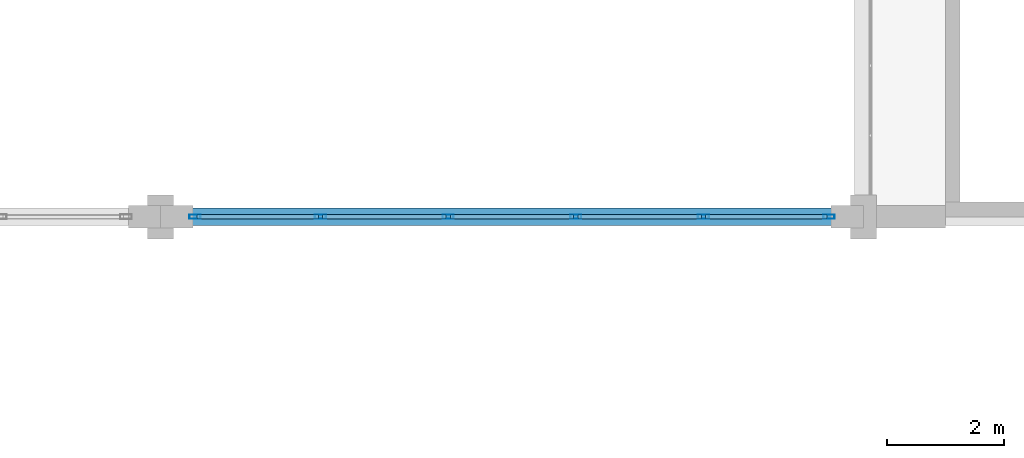
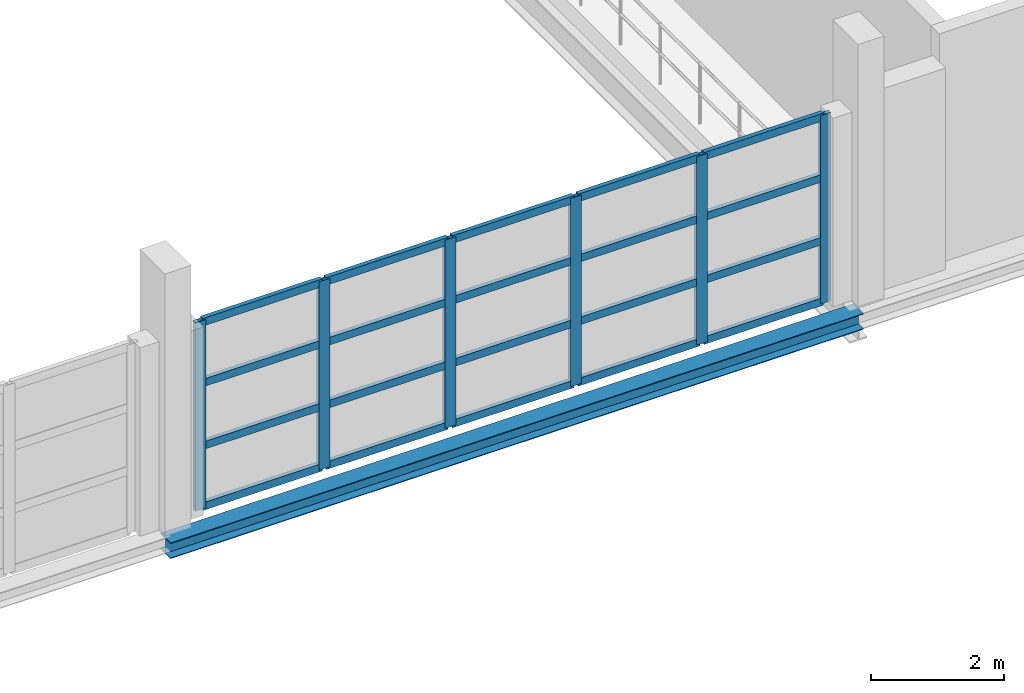
# One storey, part 29 of 86: 26 members, 1 beam, 1 element without a shape of its own.
"""IFC4 building model written with IfcOpenShell, lengths in metres."""

from ifc_helpers import new_model, si_unit, direction, frame, origin, origin_2d, place, context, subcontext, project, spatial, hollow_rectangle, i_section, extrude, material, layer, layer_set, material_profile, profile_set, type_object, element, aggregate, save


model = new_model("IFC4")

# Units and contexts
model_context = context("Model", 3, precision=1e-05, world=origin(), true_north=direction((0.0, 1.0)))
body_context = subcontext(model_context, "Body", "Model", "MODEL_VIEW")
ifc_project = project(units=[si_unit("LENGTHUNIT", "METRE"), si_unit("AREAUNIT", "SQUARE_METRE"), si_unit("VOLUMEUNIT", "CUBIC_METRE"), si_unit("PLANEANGLEUNIT", "RADIAN"), si_unit("MASSUNIT", "GRAM", prefix="KILO")], contexts=[model_context])

# Site, building, storey
site_placement = place(None, origin())
site = spatial("IfcSite", under=ifc_project, at=site_placement, CompositionType="ELEMENT")
building_placement = place(site_placement, origin())
building = spatial("IfcBuilding", under=site, at=building_placement, Name="Zilviju Railside Exhibition Hall", CompositionType="ELEMENT")
storey_placement = place(building_placement, frame((0.0, 0.0, 12.60009765625)))
storey = spatial("IfcBuildingStorey", under=building, at=storey_placement, Name="L04", CompositionType="ELEMENT", Elevation=12.60009765625)

# Beam
ifc_material_1 = material(Name="Steel S355J2", Category="steel")
ifc_material_profile_1 = material_profile(ifc_material_1, i_section(OverallWidth=0.300048828125, OverallDepth=0.2900390625, WebThickness=0.008544921875, FlangeThickness=0.013916015625, at=origin_2d()), Name="HEA 300")
ifc_profile_set_1 = profile_set([ifc_material_profile_1], Name="Steel S355J2")
beam_type = type_object("IfcBeamType", Name="BM-HEA300", PredefinedType="SPANDREL", material=ifc_profile_set_1)
beam_placement = place(storey_placement, frame((144.0, 84.0, -0.485107421875), z_axis=(1.0, 0.0, 0.0), x_axis=(0.0, 1.0, 0.0)))
element("IfcBeam", 1, at=beam_placement, inside=storey, type_object=beam_type, Name="Primary Girder L04 Y=84.0 (144.0..156.0)", PredefinedType="SPANDREL", context=body_context, shape_type="SweptSolid", body=[
    extrude(i_section(OverallWidth=0.300048828125, OverallDepth=0.2900390625, WebThickness=0.008544921875, FlangeThickness=0.013916015625, at=origin_2d()), origin(), (0.0, 0.0, 1.0), 12.0),
])

# Curtain wall, members
ifc_material_2 = material(Name="Thermally broken aluminium-steel triple-glazed curtain wall", Category="steel")
ifc_layer = layer(ifc_material_2, 0.179931640625)
ifc_layer_set = layer_set([ifc_layer], Name="Thermally broken aluminium-steel triple-glazed curtain wall")
curtain_wall_type = type_object("IfcCurtainWallType", Name="CW-BAY-15", PredefinedType="USERDEFINED", material=ifc_layer_set)
curtain_wall_placement = place(storey_placement, origin())
curtain_wall = element("IfcCurtainWall", 2, at=curtain_wall_placement, inside=storey, type_object=curtain_wall_type, Name="North Hall Garden Court Curtain Wall L04 (144..156)", ObjectType="GLAZED CURTAIN WALL", PredefinedType="USERDEFINED")
ifc_material_3 = material(Name="Thermally broken anodized aluminium mullion", Category="aluminium")
ifc_material_profile_2 = material_profile(ifc_material_3, hollow_rectangle(XDim=0.074951171875, YDim=0.18994140625, WallThickness=0.0048828125, at=origin_2d()), Name="MULLION 190x75x5")
ifc_profile_set_2 = profile_set([ifc_material_profile_2], Name="Thermally broken anodized aluminium mullion")
member_type_1 = type_object("IfcMemberType", Name="CWM-75x190", PredefinedType="MULLION", material=ifc_profile_set_2)
member_1_placement = place(storey_placement, frame((155.41259765625, 84.0, 0.0), z_axis=(0.0, 0.0, 1.0), x_axis=(0.0, -1.0, 0.0)))
member_1 = element("IfcMember", 3, at=member_1_placement, type_object=member_type_1, Name="CW-15 mullion 1", PredefinedType="MULLION", context=body_context, shape_type="SweptSolid", body=[
    extrude(hollow_rectangle(XDim=0.074951171875, YDim=0.18994140625, WallThickness=0.0048828125, at=origin_2d()), origin(), (0.0, 0.0, 1.0), 3.449951171875),
])
member_2_placement = place(storey_placement, frame((153.27001953125, 84.0, 0.0), z_axis=(0.0, 0.0, 1.0), x_axis=(0.0, -1.0, 0.0)))
member_2 = element("IfcMember", 4, at=member_2_placement, type_object=member_type_1, Name="CW-15 mullion 2", PredefinedType="MULLION", context=body_context, shape_type="SweptSolid", body=[
    extrude(hollow_rectangle(XDim=0.074951171875, YDim=0.18994140625, WallThickness=0.0048828125, at=origin_2d()), origin(), (0.0, 0.0, 1.0), 3.449951171875),
])
member_3_placement = place(storey_placement, frame((151.090087890625, 84.0, 0.0), z_axis=(0.0, 0.0, 1.0), x_axis=(0.0, -1.0, 0.0)))
member_3 = element("IfcMember", 5, at=member_3_placement, type_object=member_type_1, Name="CW-15 mullion 3", PredefinedType="MULLION", context=body_context, shape_type="SweptSolid", body=[
    extrude(hollow_rectangle(XDim=0.074951171875, YDim=0.18994140625, WallThickness=0.0048828125, at=origin_2d()), origin(), (0.0, 0.0, 1.0), 3.449951171875),
])
member_4_placement = place(storey_placement, frame((148.909912109375, 84.0, 0.0), z_axis=(0.0, 0.0, 1.0), x_axis=(0.0, -1.0, 0.0)))
member_4 = element("IfcMember", 6, at=member_4_placement, type_object=member_type_1, Name="CW-15 mullion 4", PredefinedType="MULLION", context=body_context, shape_type="SweptSolid", body=[
    extrude(hollow_rectangle(XDim=0.074951171875, YDim=0.18994140625, WallThickness=0.0048828125, at=origin_2d()), origin(), (0.0, 0.0, 1.0), 3.449951171875),
])
member_5_placement = place(storey_placement, frame((146.72998046875, 84.0, 0.0), z_axis=(0.0, 0.0, 1.0), x_axis=(0.0, -1.0, 0.0)))
member_5 = element("IfcMember", 7, at=member_5_placement, type_object=member_type_1, Name="CW-15 mullion 5", PredefinedType="MULLION", context=body_context, shape_type="SweptSolid", body=[
    extrude(hollow_rectangle(XDim=0.074951171875, YDim=0.18994140625, WallThickness=0.0048828125, at=origin_2d()), origin(), (0.0, 0.0, 1.0), 3.449951171875),
])
member_6_placement = place(storey_placement, frame((144.58740234375, 84.0, 0.0), z_axis=(0.0, 0.0, 1.0), x_axis=(0.0, -1.0, 0.0)))
member_6 = element("IfcMember", 8, at=member_6_placement, type_object=member_type_1, Name="CW-15 mullion 6", PredefinedType="MULLION", context=body_context, shape_type="SweptSolid", body=[
    extrude(hollow_rectangle(XDim=0.074951171875, YDim=0.18994140625, WallThickness=0.0048828125, at=origin_2d()), origin(), (0.0, 0.0, 1.0), 3.449951171875),
])
ifc_material_4 = material(Name="Thermally broken anodized aluminium transom", Category="aluminium")
ifc_material_profile_3 = material_profile(ifc_material_4, hollow_rectangle(XDim=0.074951171875, YDim=0.139892578125, WallThickness=0.0048828125, at=origin_2d()), Name="TRANSOM 140x75x5")
ifc_profile_set_3 = profile_set([ifc_material_profile_3], Name="Thermally broken anodized aluminium transom")
member_type_2 = type_object("IfcMemberType", Name="CWT-75x140", PredefinedType="USERDEFINED", material=ifc_profile_set_3)
member_7_placement = place(storey_placement, frame((155.375, 84.0, 0.037353515625), z_axis=(-1.0, 0.0, 0.0), x_axis=(0.0, -1.0, 0.0)))
member_7 = element("IfcMember", 9, at=member_7_placement, type_object=member_type_2, Name="CW-15 transom 1.1", ObjectType="TRANSOM", PredefinedType="USERDEFINED", context=body_context, shape_type="SweptSolid", body=[
    extrude(hollow_rectangle(XDim=0.074951171875, YDim=0.139892578125, WallThickness=0.0048828125, at=origin_2d()), origin(), (0.0, 0.0, 1.0), 2.0673828125),
])
member_8_placement = place(storey_placement, frame((155.375, 84.0, 1.14990234375), z_axis=(-1.0, 0.0, 0.0), x_axis=(0.0, -1.0, 0.0)))
member_8 = element("IfcMember", 10, at=member_8_placement, type_object=member_type_2, Name="CW-15 transom 1.2", ObjectType="TRANSOM", PredefinedType="USERDEFINED", context=body_context, shape_type="SweptSolid", body=[
    extrude(hollow_rectangle(XDim=0.074951171875, YDim=0.139892578125, WallThickness=0.0048828125, at=origin_2d()), origin(), (0.0, 0.0, 1.0), 2.0673828125),
])
member_9_placement = place(storey_placement, frame((155.375, 84.0, 2.2998046875), z_axis=(-1.0, 0.0, 0.0), x_axis=(0.0, -1.0, 0.0)))
member_9 = element("IfcMember", 11, at=member_9_placement, type_object=member_type_2, Name="CW-15 transom 1.3", ObjectType="TRANSOM", PredefinedType="USERDEFINED", context=body_context, shape_type="SweptSolid", body=[
    extrude(hollow_rectangle(XDim=0.074951171875, YDim=0.139892578125, WallThickness=0.0048828125, at=origin_2d()), origin(), (0.0, 0.0, 1.0), 2.0673828125),
])
member_10_placement = place(storey_placement, frame((155.375, 84.0, 3.412353515625), z_axis=(-1.0, 0.0, 0.0), x_axis=(0.0, -1.0, 0.0)))
member_10 = element("IfcMember", 12, at=member_10_placement, type_object=member_type_2, Name="CW-15 transom 1.4", ObjectType="TRANSOM", PredefinedType="USERDEFINED", context=body_context, shape_type="SweptSolid", body=[
    extrude(hollow_rectangle(XDim=0.074951171875, YDim=0.139892578125, WallThickness=0.0048828125, at=origin_2d()), origin(), (0.0, 0.0, 1.0), 2.0673828125),
])
member_11_placement = place(storey_placement, frame((153.232421875, 84.0, 0.037353515625), z_axis=(-1.0, 0.0, 0.0), x_axis=(0.0, -1.0, 0.0)))
member_11 = element("IfcMember", 13, at=member_11_placement, type_object=member_type_2, Name="CW-15 transom 2.1", ObjectType="TRANSOM", PredefinedType="USERDEFINED", context=body_context, shape_type="SweptSolid", body=[
    extrude(hollow_rectangle(XDim=0.074951171875, YDim=0.139892578125, WallThickness=0.0048828125, at=origin_2d()), origin(), (0.0, 0.0, 1.0), 2.10498046875),
])
member_12_placement = place(storey_placement, frame((153.232421875, 84.0, 1.14990234375), z_axis=(-1.0, 0.0, 0.0), x_axis=(0.0, -1.0, 0.0)))
member_12 = element("IfcMember", 14, at=member_12_placement, type_object=member_type_2, Name="CW-15 transom 2.2", ObjectType="TRANSOM", PredefinedType="USERDEFINED", context=body_context, shape_type="SweptSolid", body=[
    extrude(hollow_rectangle(XDim=0.074951171875, YDim=0.139892578125, WallThickness=0.0048828125, at=origin_2d()), origin(), (0.0, 0.0, 1.0), 2.10498046875),
])
member_13_placement = place(storey_placement, frame((153.232421875, 84.0, 2.2998046875), z_axis=(-1.0, 0.0, 0.0), x_axis=(0.0, -1.0, 0.0)))
member_13 = element("IfcMember", 15, at=member_13_placement, type_object=member_type_2, Name="CW-15 transom 2.3", ObjectType="TRANSOM", PredefinedType="USERDEFINED", context=body_context, shape_type="SweptSolid", body=[
    extrude(hollow_rectangle(XDim=0.074951171875, YDim=0.139892578125, WallThickness=0.0048828125, at=origin_2d()), origin(), (0.0, 0.0, 1.0), 2.10498046875),
])
member_14_placement = place(storey_placement, frame((153.232421875, 84.0, 3.412353515625), z_axis=(-1.0, 0.0, 0.0), x_axis=(0.0, -1.0, 0.0)))
member_14 = element("IfcMember", 16, at=member_14_placement, type_object=member_type_2, Name="CW-15 transom 2.4", ObjectType="TRANSOM", PredefinedType="USERDEFINED", context=body_context, shape_type="SweptSolid", body=[
    extrude(hollow_rectangle(XDim=0.074951171875, YDim=0.139892578125, WallThickness=0.0048828125, at=origin_2d()), origin(), (0.0, 0.0, 1.0), 2.10498046875),
])
member_15_placement = place(storey_placement, frame((151.052490234375, 84.0, 0.037353515625), z_axis=(-1.0, 0.0, 0.0), x_axis=(0.0, -1.0, 0.0)))
member_15 = element("IfcMember", 17, at=member_15_placement, type_object=member_type_2, Name="CW-15 transom 3.1", ObjectType="TRANSOM", PredefinedType="USERDEFINED", context=body_context, shape_type="SweptSolid", body=[
    extrude(hollow_rectangle(XDim=0.074951171875, YDim=0.139892578125, WallThickness=0.0048828125, at=origin_2d()), origin(), (0.0, 0.0, 1.0), 2.10498046875),
])
member_16_placement = place(storey_placement, frame((151.052490234375, 84.0, 1.14990234375), z_axis=(-1.0, 0.0, 0.0), x_axis=(0.0, -1.0, 0.0)))
member_16 = element("IfcMember", 18, at=member_16_placement, type_object=member_type_2, Name="CW-15 transom 3.2", ObjectType="TRANSOM", PredefinedType="USERDEFINED", context=body_context, shape_type="SweptSolid", body=[
    extrude(hollow_rectangle(XDim=0.074951171875, YDim=0.139892578125, WallThickness=0.0048828125, at=origin_2d()), origin(), (0.0, 0.0, 1.0), 2.10498046875),
])
member_17_placement = place(storey_placement, frame((151.052490234375, 84.0, 2.2998046875), z_axis=(-1.0, 0.0, 0.0), x_axis=(0.0, -1.0, 0.0)))
member_17 = element("IfcMember", 19, at=member_17_placement, type_object=member_type_2, Name="CW-15 transom 3.3", ObjectType="TRANSOM", PredefinedType="USERDEFINED", context=body_context, shape_type="SweptSolid", body=[
    extrude(hollow_rectangle(XDim=0.074951171875, YDim=0.139892578125, WallThickness=0.0048828125, at=origin_2d()), origin(), (0.0, 0.0, 1.0), 2.10498046875),
])
member_18_placement = place(storey_placement, frame((151.052490234375, 84.0, 3.412353515625), z_axis=(-1.0, 0.0, 0.0), x_axis=(0.0, -1.0, 0.0)))
member_18 = element("IfcMember", 20, at=member_18_placement, type_object=member_type_2, Name="CW-15 transom 3.4", ObjectType="TRANSOM", PredefinedType="USERDEFINED", context=body_context, shape_type="SweptSolid", body=[
    extrude(hollow_rectangle(XDim=0.074951171875, YDim=0.139892578125, WallThickness=0.0048828125, at=origin_2d()), origin(), (0.0, 0.0, 1.0), 2.10498046875),
])
member_19_placement = place(storey_placement, frame((148.87255859375, 84.0, 0.037353515625), z_axis=(-1.0, 0.0, 0.0), x_axis=(0.0, -1.0, 0.0)))
member_19 = element("IfcMember", 21, at=member_19_placement, type_object=member_type_2, Name="CW-15 transom 4.1", ObjectType="TRANSOM", PredefinedType="USERDEFINED", context=body_context, shape_type="SweptSolid", body=[
    extrude(hollow_rectangle(XDim=0.074951171875, YDim=0.139892578125, WallThickness=0.0048828125, at=origin_2d()), origin(), (0.0, 0.0, 1.0), 2.10498046875),
])
member_20_placement = place(storey_placement, frame((148.87255859375, 84.0, 1.14990234375), z_axis=(-1.0, 0.0, 0.0), x_axis=(0.0, -1.0, 0.0)))
member_20 = element("IfcMember", 22, at=member_20_placement, type_object=member_type_2, Name="CW-15 transom 4.2", ObjectType="TRANSOM", PredefinedType="USERDEFINED", context=body_context, shape_type="SweptSolid", body=[
    extrude(hollow_rectangle(XDim=0.074951171875, YDim=0.139892578125, WallThickness=0.0048828125, at=origin_2d()), origin(), (0.0, 0.0, 1.0), 2.10498046875),
])
member_21_placement = place(storey_placement, frame((148.87255859375, 84.0, 2.2998046875), z_axis=(-1.0, 0.0, 0.0), x_axis=(0.0, -1.0, 0.0)))
member_21 = element("IfcMember", 23, at=member_21_placement, type_object=member_type_2, Name="CW-15 transom 4.3", ObjectType="TRANSOM", PredefinedType="USERDEFINED", context=body_context, shape_type="SweptSolid", body=[
    extrude(hollow_rectangle(XDim=0.074951171875, YDim=0.139892578125, WallThickness=0.0048828125, at=origin_2d()), origin(), (0.0, 0.0, 1.0), 2.10498046875),
])
member_22_placement = place(storey_placement, frame((148.87255859375, 84.0, 3.412353515625), z_axis=(-1.0, 0.0, 0.0), x_axis=(0.0, -1.0, 0.0)))
member_22 = element("IfcMember", 24, at=member_22_placement, type_object=member_type_2, Name="CW-15 transom 4.4", ObjectType="TRANSOM", PredefinedType="USERDEFINED", context=body_context, shape_type="SweptSolid", body=[
    extrude(hollow_rectangle(XDim=0.074951171875, YDim=0.139892578125, WallThickness=0.0048828125, at=origin_2d()), origin(), (0.0, 0.0, 1.0), 2.10498046875),
])
member_23_placement = place(storey_placement, frame((146.6923828125, 84.0, 0.037353515625), z_axis=(-1.0, 0.0, 0.0), x_axis=(0.0, -1.0, 0.0)))
member_23 = element("IfcMember", 25, at=member_23_placement, type_object=member_type_2, Name="CW-15 transom 5.1", ObjectType="TRANSOM", PredefinedType="USERDEFINED", context=body_context, shape_type="SweptSolid", body=[
    extrude(hollow_rectangle(XDim=0.074951171875, YDim=0.139892578125, WallThickness=0.0048828125, at=origin_2d()), origin(), (0.0, 0.0, 1.0), 2.0673828125),
])
member_24_placement = place(storey_placement, frame((146.6923828125, 84.0, 1.14990234375), z_axis=(-1.0, 0.0, 0.0), x_axis=(0.0, -1.0, 0.0)))
member_24 = element("IfcMember", 26, at=member_24_placement, type_object=member_type_2, Name="CW-15 transom 5.2", ObjectType="TRANSOM", PredefinedType="USERDEFINED", context=body_context, shape_type="SweptSolid", body=[
    extrude(hollow_rectangle(XDim=0.074951171875, YDim=0.139892578125, WallThickness=0.0048828125, at=origin_2d()), origin(), (0.0, 0.0, 1.0), 2.0673828125),
])
member_25_placement = place(storey_placement, frame((146.6923828125, 84.0, 2.2998046875), z_axis=(-1.0, 0.0, 0.0), x_axis=(0.0, -1.0, 0.0)))
member_25 = element("IfcMember", 27, at=member_25_placement, type_object=member_type_2, Name="CW-15 transom 5.3", ObjectType="TRANSOM", PredefinedType="USERDEFINED", context=body_context, shape_type="SweptSolid", body=[
    extrude(hollow_rectangle(XDim=0.074951171875, YDim=0.139892578125, WallThickness=0.0048828125, at=origin_2d()), origin(), (0.0, 0.0, 1.0), 2.0673828125),
])
member_26_placement = place(storey_placement, frame((146.6923828125, 84.0, 3.412353515625), z_axis=(-1.0, 0.0, 0.0), x_axis=(0.0, -1.0, 0.0)))
member_26 = element("IfcMember", 28, at=member_26_placement, type_object=member_type_2, Name="CW-15 transom 5.4", ObjectType="TRANSOM", PredefinedType="USERDEFINED", context=body_context, shape_type="SweptSolid", body=[
    extrude(hollow_rectangle(XDim=0.074951171875, YDim=0.139892578125, WallThickness=0.0048828125, at=origin_2d()), origin(), (0.0, 0.0, 1.0), 2.0673828125),
])
aggregate(curtain_wall, [member_1, member_2, member_3, member_4, member_5, member_6, member_7, member_8, member_9, member_10, member_11, member_12, member_13, member_14, member_15, member_16, member_17, member_18, member_19, member_20, member_21, member_22, member_23, member_24, member_25, member_26])

save(model, "model.ifc")
